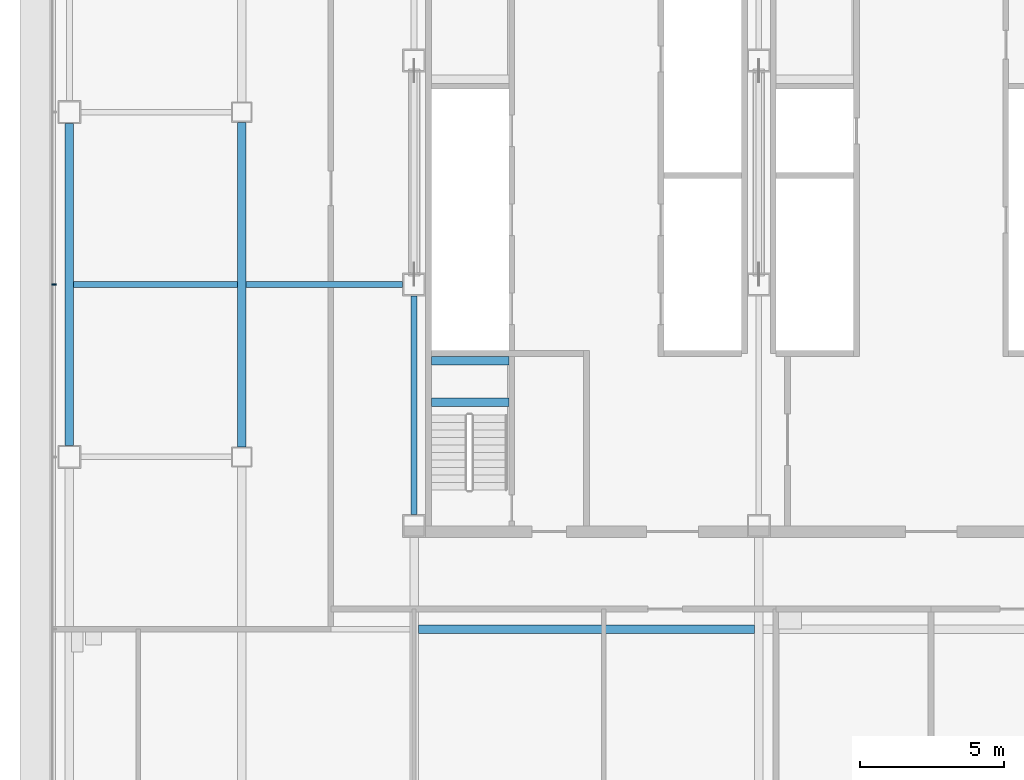
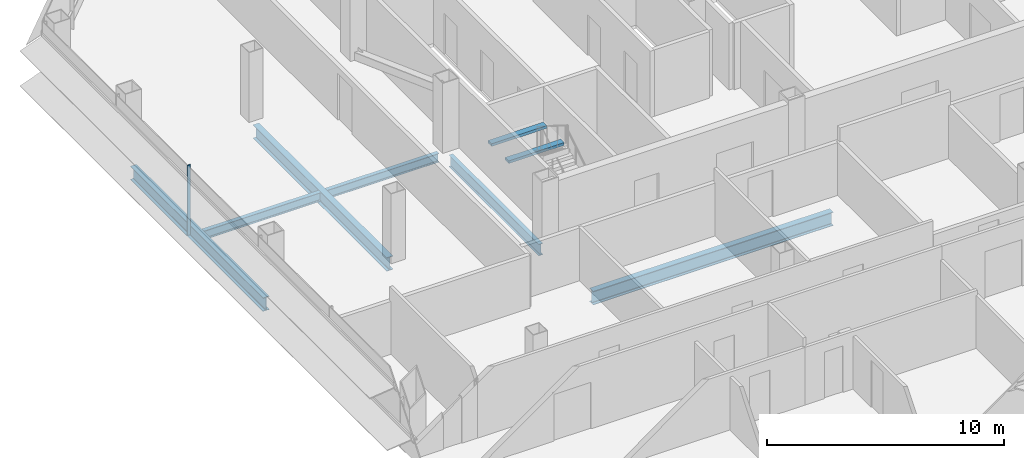
# One storey, part 6 of 25: 8 beams, 1 member, 1 element without a shape of its own.
"""IFC4 building model written with IfcOpenShell, lengths in metres."""

import ifcopenshell
import ifcopenshell.guid

model = None  # the IFC model being written
_history = None  # IfcOwnerHistory: only IFC2X3 demands one
_inside = {}  # id of a spatial element -> (the spatial element, [elements in it])
_under = {}  # id of a project, library or spatial element -> (it, [spatial elements below it])
_declared = {}  # id of a project -> (the project, [libraries it declares])
_typed = {}  # id of a type object -> (the type object, [elements of that type])
_made_of = {}  # id of a material, layer set ... -> (it, [elements and type objects made of it])


def new_model(schema):
    """Start an empty IFC model of exactly this schema.

    Asked for "IFC4X3", IfcOpenShell would pick the latest addendum, in which some entities
    have other attributes; the version numbers below select the first issue.
    IFC2X3 requires an IfcOwnerHistory on every rooted entity: one is made here for all.
    """
    global model, _history
    if schema == "IFC4X3":
        model = ifcopenshell.file(schema_version=(4, 3, 0, 0))
    else:
        model = ifcopenshell.file(schema=schema)
    _inside.clear()
    _under.clear()
    _declared.clear()
    _typed.clear()
    _made_of.clear()
    _history = None
    if model.schema == "IFC2X3":
        org = make("IfcOrganization", Name="unknown")
        user = make(
            "IfcPersonAndOrganization",
            ThePerson=make("IfcPerson", FamilyName="unknown"),
            TheOrganization=org,
        )
        app = make(
            "IfcApplication",
            ApplicationDeveloper=org,
            Version="unknown",
            ApplicationFullName="unknown",
            ApplicationIdentifier="unknown",
        )
        _history = make(
            "IfcOwnerHistory",
            OwningUser=user,
            OwningApplication=app,
            ChangeAction="ADDED",
            CreationDate=0,
        )
    return model


def make(cls, **values):
    """One entity of the class cls with the attributes given. An attribute that is None is left unset."""
    return model.create_entity(
        cls, **{name: value for name, value in values.items() if value is not None}
    )


def rooted(cls, **values):
    """An entity with a GlobalId (a new one), such as an element, a storey or a relation."""
    return make(cls, GlobalId=ifcopenshell.guid.new(), OwnerHistory=_history, **values)


def si_unit(unit_type, name, prefix=None):
    """IfcSIUnit, for example si_unit("LENGTHUNIT", "METRE", prefix="MILLI")."""
    return make("IfcSIUnit", UnitType=unit_type, Prefix=prefix, Name=name)


def assignment(units):
    """IfcUnitAssignment: the units of a project."""
    return None if units is None else make("IfcUnitAssignment", Units=units)


def point(xyz):
    """IfcCartesianPoint."""
    return None if xyz is None else make("IfcCartesianPoint", Coordinates=xyz)


def direction(xyz):
    """IfcDirection."""
    return None if xyz is None else make("IfcDirection", DirectionRatios=xyz)


def frame(location, z_axis=None, x_axis=None):
    """IfcAxis2Placement3D, a coordinate frame: its origin and axes. An axis left out is left unset."""
    return make(
        "IfcAxis2Placement3D",
        Location=point(location),
        Axis=direction(z_axis),
        RefDirection=direction(x_axis),
    )


def frame_2d(location, x_axis=None):
    """IfcAxis2Placement2D, a coordinate frame in the plane: its origin and x axis."""
    return make(
        "IfcAxis2Placement2D", Location=point(location), RefDirection=direction(x_axis)
    )


def origin():
    """The frame at (0, 0, 0) with its axes left unset."""
    return frame((0.0, 0.0, 0.0))


def origin_2d():
    """The frame at (0, 0) in the plane with its x axis left unset."""
    return frame_2d((0.0, 0.0))


def place(relative_to, where):
    """IfcLocalPlacement: puts the frame where relative to a parent placement (None: the world)."""
    return make(
        "IfcLocalPlacement", PlacementRelTo=relative_to, RelativePlacement=where
    )


def context(
    kind, dimensions, precision=None, world=None, true_north=None, identifier=None
):
    """IfcGeometricRepresentationContext, for example the 3D "Model" context."""
    return make(
        "IfcGeometricRepresentationContext",
        ContextIdentifier=identifier,
        ContextType=kind,
        CoordinateSpaceDimension=dimensions,
        Precision=precision,
        WorldCoordinateSystem=world,
        TrueNorth=true_north,
    )


def subcontext(parent, identifier, kind, view, scale=None):
    """IfcGeometricRepresentationSubContext, for example "Body" below "Model"."""
    return make(
        "IfcGeometricRepresentationSubContext",
        ContextIdentifier=identifier,
        ContextType=kind,
        ParentContext=parent,
        TargetScale=scale,
        TargetView=view,
    )


def project(units=None, contexts=None):
    """IfcProject with its units and contexts."""
    return rooted(
        "IfcProject",
        Name="project",
        RepresentationContexts=contexts,
        UnitsInContext=assignment(units),
    )


def spatial(cls, under=None, at=None, **own):
    """A site, building, storey or space (cls), placed at a placement, below another one or the project."""
    s = rooted(cls, ObjectPlacement=at, **own)
    if under is not None:
        _under.setdefault(under.id(), (under, []))[1].append(s)
    return s


def profile(cls, at=None, kind="AREA", **sizes):
    """A parametric profile (cls). Its sizes go by their IFC names, for example OverallWidth=200.0."""
    return make(cls, ProfileType=kind, Position=at, **sizes)


def rectangle(**sizes):
    """IfcRectangleProfileDef."""
    return profile("IfcRectangleProfileDef", **sizes)


def i_section(**sizes):
    """IfcIShapeProfileDef."""
    return profile("IfcIShapeProfileDef", **sizes)


def extrude(swept, where, along, depth):
    """IfcExtrudedAreaSolid: the profile swept, set in the frame where, extruded along a direction by depth."""
    return make(
        "IfcExtrudedAreaSolid",
        SweptArea=swept,
        Position=where,
        ExtrudedDirection=direction(along),
        Depth=depth,
    )


def shape(context_of_items, identifier, shape_type, items):
    """IfcShapeRepresentation: the items that make up one representation, for example the "Body"."""
    return make(
        "IfcShapeRepresentation",
        ContextOfItems=context_of_items,
        RepresentationIdentifier=identifier,
        RepresentationType=shape_type,
        Items=items,
    )


def material(Name=None, Category=None):
    """IfcMaterial."""
    return make("IfcMaterial", Name=Name, Category=Category)


def material_profile(
    of_material, cross_section, Name=None, Category=None, Priority=None
):
    """IfcMaterialProfile: a cross section and its material."""
    return make(
        "IfcMaterialProfile",
        Name=Name,
        Material=of_material,
        Profile=cross_section,
        Priority=Priority,
        Category=Category,
    )


def profile_set(profiles, Name=None, composite=None):
    """IfcMaterialProfileSet."""
    return make(
        "IfcMaterialProfileSet",
        Name=Name,
        MaterialProfiles=profiles,
        CompositeProfile=composite,
    )


def made_of(thing, what):
    """Note that an element or type object is made of a material, layer set ...; save() writes the relation."""
    if what is not None:
        _made_of.setdefault(what.id(), (what, []))[1].append(thing)
    return thing


def type_object(cls, material=None, **own):
    """A type object (cls), such as IfcWallType, which elements share."""
    return made_of(rooted(cls, **own), material)


def element(
    cls,
    number,
    at=None,
    inside=None,
    cuts=None,
    type_object=None,
    material=None,
    context=None,
    identifier="Body",
    shape_type=None,
    held_by="IfcProductDefinitionShape",
    body=None,
    shapes=None,
    **own,
):
    """One element of the class cls, such as IfcWall. Its Tag is "e" and its number.

    at: its placement. inside: the storey or other place that contains it. cuts: it is an
    opening in that element (IfcRelVoidsElement). A single representation is given by context,
    identifier, shape_type and body (its items); several are given by shapes. held_by: the class
    of the entity that holds the representations. save() writes the other relations.
    """
    e = rooted(cls, Tag="e%d" % number, ObjectPlacement=at, **own)
    if body is not None:
        shapes = [shape(context, identifier, shape_type, body)]
    if shapes is not None:
        e.Representation = make(held_by, Representations=shapes)
    if inside is not None:
        _inside.setdefault(inside.id(), (inside, []))[1].append(e)
    if cuts is not None:
        rooted(
            "IfcRelVoidsElement", RelatingBuildingElement=cuts, RelatedOpeningElement=e
        )
    if type_object is not None:
        _typed.setdefault(type_object.id(), (type_object, []))[1].append(e)
    return made_of(e, material)


def aggregate(whole, parts):
    """IfcRelAggregates: a whole, such as a stair, and the parts it consists of."""
    return rooted("IfcRelAggregates", RelatingObject=whole, RelatedObjects=parts)


def save(model, path):
    """Write the relations noted so far, then the file.

    IfcRelAggregates (storeys below a building ...), IfcRelContainedInSpatialStructure (elements
    in a storey), IfcRelDefinesByType, IfcRelAssociatesMaterial and IfcRelDeclares: one each for
    every whole, place, type object, material and project.
    """
    for whole, parts in _under.values():
        aggregate(whole, parts)
    for where, things in _inside.values():
        rooted(
            "IfcRelContainedInSpatialStructure",
            RelatedElements=things,
            RelatingStructure=where,
        )
    for kind, things in _typed.values():
        rooted("IfcRelDefinesByType", RelatedObjects=things, RelatingType=kind)
    for what, things in _made_of.values():
        rooted("IfcRelAssociatesMaterial", RelatedObjects=things, RelatingMaterial=what)
    for by, libraries in _declared.values():
        rooted("IfcRelDeclares", RelatingContext=by, RelatedDefinitions=libraries)
    model.write(path)


model = new_model("IFC4")

# Units and contexts
model_context = context("Model", 3, precision=1e-05, world=origin(), true_north=direction((0.0, 1.0)))
body_context = subcontext(model_context, "Body", "Model", "MODEL_VIEW")
ifc_project = project(units=[si_unit("LENGTHUNIT", "METRE"), si_unit("AREAUNIT", "SQUARE_METRE"), si_unit("VOLUMEUNIT", "CUBIC_METRE"), si_unit("PLANEANGLEUNIT", "RADIAN"), si_unit("MASSUNIT", "GRAM", prefix="KILO")], contexts=[model_context])

# Site, building, storey
site_placement = place(None, origin())
site = spatial("IfcSite", under=ifc_project, at=site_placement, CompositionType="ELEMENT")
building_placement = place(site_placement, origin())
building = spatial("IfcBuilding", under=site, at=building_placement, Name="Sorahane Residences", CompositionType="ELEMENT")
storey_placement = place(building_placement, frame((0.0, 0.0, 123.199951171875)))
storey = spatial("IfcBuildingStorey", under=building, at=storey_placement, Name="L27", CompositionType="ELEMENT", Elevation=123.199951171875)

# Curtain wall, member
ifc_material_1 = material(Name="Dark low-e glass and black anodised aluminium", Category="aluminium")
curtain_wall_type = type_object("IfcCurtainWallType", Name="Curtain wall CW-1 Typical unitised wall", PredefinedType="NOTDEFINED", material=ifc_material_1)
curtain_wall_placement = place(storey_placement, origin())
curtain_wall = element("IfcCurtainWall", 1, at=curtain_wall_placement, inside=storey, type_object=curtain_wall_type, Name="CW-1 curtain wall L27 W1", PredefinedType="NOTDEFINED")
ifc_material_2 = material(Name="Black anodised aluminium", Category="aluminium")
ifc_material_profile_1 = material_profile(ifc_material_2, rectangle(XDim=0.159912109375, YDim=0.050048828125, at=origin_2d()), Name="Curtain wall mullion CW-1 black anodised aluminium 50x160")
ifc_profile_set_1 = profile_set([ifc_material_profile_1], Name="Black anodised aluminium")
member_type = type_object("IfcMemberType", Name="Curtain wall mullion CW-1 black anodised aluminium 50x160", PredefinedType="MULLION", material=ifc_profile_set_1)
member_placement = place(storey_placement, frame((-6.5400390625, 30.0, -0.179931640625), z_axis=(0.0, 0.0, 1.0), x_axis=(-1.0, 0.0, 0.0)))
member = element("IfcMember", 2, at=member_placement, type_object=member_type, Name="CW-1 mullion L27 W1.3", PredefinedType="MULLION", context=body_context, shape_type="SweptSolid", body=[
    extrude(rectangle(XDim=0.159912109375, YDim=0.050048828125, at=origin_2d()), origin(), (0.0, 0.0, 1.0), 3.60009765625),
])
aggregate(curtain_wall, [member])

# Beams
ifc_material_3 = material(Name="Concrete C40", Category="concrete")
ifc_material_profile_2 = material_profile(ifc_material_3, rectangle(XDim=0.300048828125, YDim=0.139892578125, at=origin_2d()), Name="300x140")
ifc_profile_set_2 = profile_set([ifc_material_profile_2], Name="Concrete C40")
beam_type_1 = type_object("IfcBeamType", Name="RC landing beam 300 x 140 Concrete C40", PredefinedType="BEAM", material=ifc_profile_set_2)
for number, where, z_axis, x_axis, name in (
    (3, (6.60009765625, 25.89990234375, 1.530029296875), (1.0, 0.0, 0.0), (0.0, 1.0, 0.0), "Landing beam"),
    (4, (6.60009765625, 27.35009765625, 1.530029296875), (1.0, 0.0, 0.0), (0.0, 1.0, 0.0), "Landing beam"),
):
    element("IfcBeam", number, at=place(storey_placement, frame(where, z_axis=z_axis, x_axis=x_axis)), inside=storey, type_object=beam_type_1, Name=name, PredefinedType="BEAM", context=body_context, shape_type="SweptSolid", body=[
        extrude(rectangle(XDim=0.300048828125, YDim=0.139892578125, at=origin_2d()), origin(), (0.0, 0.0, 1.0), 2.699951171875),
    ])
ifc_material_4 = material(Name="Steel Q355B", Category="steel")
ifc_material_profile_3 = material_profile(ifc_material_4, i_section(OverallWidth=0.199951171875, OverallDepth=0.449951171875, WebThickness=0.009033203125, FlangeThickness=0.013916015625, FilletRadius=0.02001953125, at=origin_2d()), Name="HN 450x200x9x14")
ifc_profile_set_3 = profile_set([ifc_material_profile_3], Name="Steel Q355B")
beam_type_2 = type_object("IfcBeamType", Name="Steel floor beam HN 450x200x9x14 Q355B", PredefinedType="BEAM", material=ifc_profile_set_3)
beam_1_placement = place(storey_placement, frame((-5.85009765625, 30.0, -0.405029296875), z_axis=(1.0, 0.0, 0.0), x_axis=(0.0, 1.0, 0.0)))
element("IfcBeam", 5, at=beam_1_placement, inside=storey, type_object=beam_type_2, Name="Beam L27 085", PredefinedType="BEAM", context=body_context, shape_type="SweptSolid", body=[
    extrude(i_section(OverallWidth=0.199951171875, OverallDepth=0.449951171875, WebThickness=0.009033203125, FlangeThickness=0.013916015625, FilletRadius=0.02001953125, at=origin_2d()), origin(), (0.0, 0.0, 1.0), 5.7001953125),
])
beam_2_placement = place(storey_placement, frame((0.14990234375, 30.0, -0.405029296875), z_axis=(1.0, 0.0, 0.0), x_axis=(0.0, 1.0, 0.0)))
element("IfcBeam", 6, at=beam_2_placement, inside=storey, type_object=beam_type_2, Name="Beam L27 086", PredefinedType="BEAM", context=body_context, shape_type="SweptSolid", body=[
    extrude(i_section(OverallWidth=0.199951171875, OverallDepth=0.449951171875, WebThickness=0.009033203125, FlangeThickness=0.013916015625, FilletRadius=0.02001953125, at=origin_2d()), origin(), (0.0, 0.0, 1.0), 5.4501953125),
])
ifc_material_5 = material(Name="Steel Q355B", Category="steel")
ifc_material_profile_4 = material_profile(ifc_material_5, i_section(OverallWidth=0.199951171875, OverallDepth=0.60009765625, WebThickness=0.010986328125, FlangeThickness=0.01708984375, FilletRadius=0.02392578125, at=origin_2d()), Name="HN 600x200x11x17")
ifc_profile_set_4 = profile_set([ifc_material_profile_4], Name="Steel Q355B")
beam_type_3 = type_object("IfcBeamType", Name="Steel floor beam HN 600x200x11x17 Q355B", PredefinedType="BEAM", material=ifc_profile_set_4)
beam_3_placement = place(storey_placement, frame((6.0, 22.0, -0.47998046875), z_axis=(0.0, 1.0, 0.0), x_axis=(-1.0, 0.0, 0.0)))
element("IfcBeam", 7, at=beam_3_placement, inside=storey, type_object=beam_type_3, Name="Beam L27 030", PredefinedType="BEAM", context=body_context, shape_type="SweptSolid", body=[
    extrude(i_section(OverallWidth=0.199951171875, OverallDepth=0.60009765625, WebThickness=0.010986328125, FlangeThickness=0.01708984375, FilletRadius=0.02392578125, at=origin_2d()), origin(), (0.0, 0.0, 1.0), 7.60009765625),
])
ifc_material_6 = material(Name="Steel Q355B", Category="steel")
ifc_material_profile_5 = material_profile(ifc_material_6, i_section(OverallWidth=0.300048828125, OverallDepth=0.699951171875, WebThickness=0.012939453125, FlangeThickness=0.02392578125, FilletRadius=0.028076171875, at=origin_2d()), Name="HN 700x300x13x24")
ifc_profile_set_5 = profile_set([ifc_material_profile_5], Name="Steel Q355B")
beam_type_4 = type_object("IfcBeamType", Name="Steel floor beam HN 700x300x13x24 Q355B", PredefinedType="BEAM", material=ifc_profile_set_5)
beam_4_placement = place(storey_placement, frame((-6.0, 24.39990234375, -0.530029296875), z_axis=(0.0, 1.0, 0.0), x_axis=(-1.0, 0.0, 0.0)))
element("IfcBeam", 8, at=beam_4_placement, inside=storey, type_object=beam_type_4, Name="Beam L27 022", PredefinedType="BEAM", context=body_context, shape_type="SweptSolid", body=[
    extrude(i_section(OverallWidth=0.300048828125, OverallDepth=0.699951171875, WebThickness=0.012939453125, FlangeThickness=0.02392578125, FilletRadius=0.028076171875, at=origin_2d()), origin(), (0.0, 0.0, 1.0), 11.2001953125),
])
beam_5_placement = place(storey_placement, frame((0.0, 24.35009765625, -0.530029296875), z_axis=(0.0, 1.0, 0.0), x_axis=(-1.0, 0.0, 0.0)))
element("IfcBeam", 9, at=beam_5_placement, inside=storey, type_object=beam_type_4, Name="Beam L27 026", PredefinedType="BEAM", context=body_context, shape_type="SweptSolid", body=[
    extrude(i_section(OverallWidth=0.300048828125, OverallDepth=0.699951171875, WebThickness=0.012939453125, FlangeThickness=0.02392578125, FilletRadius=0.028076171875, at=origin_2d()), origin(), (0.0, 0.0, 1.0), 11.2998046875),
])
beam_6_placement = place(storey_placement, frame((6.14990234375, 18.0, -0.530029296875), z_axis=(1.0, 0.0, 0.0), x_axis=(0.0, 1.0, 0.0)))
element("IfcBeam", 10, at=beam_6_placement, inside=storey, type_object=beam_type_4, Name="Beam L27 080", PredefinedType="BEAM", context=body_context, shape_type="SweptSolid", body=[
    extrude(i_section(OverallWidth=0.300048828125, OverallDepth=0.699951171875, WebThickness=0.012939453125, FlangeThickness=0.02392578125, FilletRadius=0.028076171875, at=origin_2d()), origin(), (0.0, 0.0, 1.0), 11.7001953125),
])

save(model, "model.ifc")
